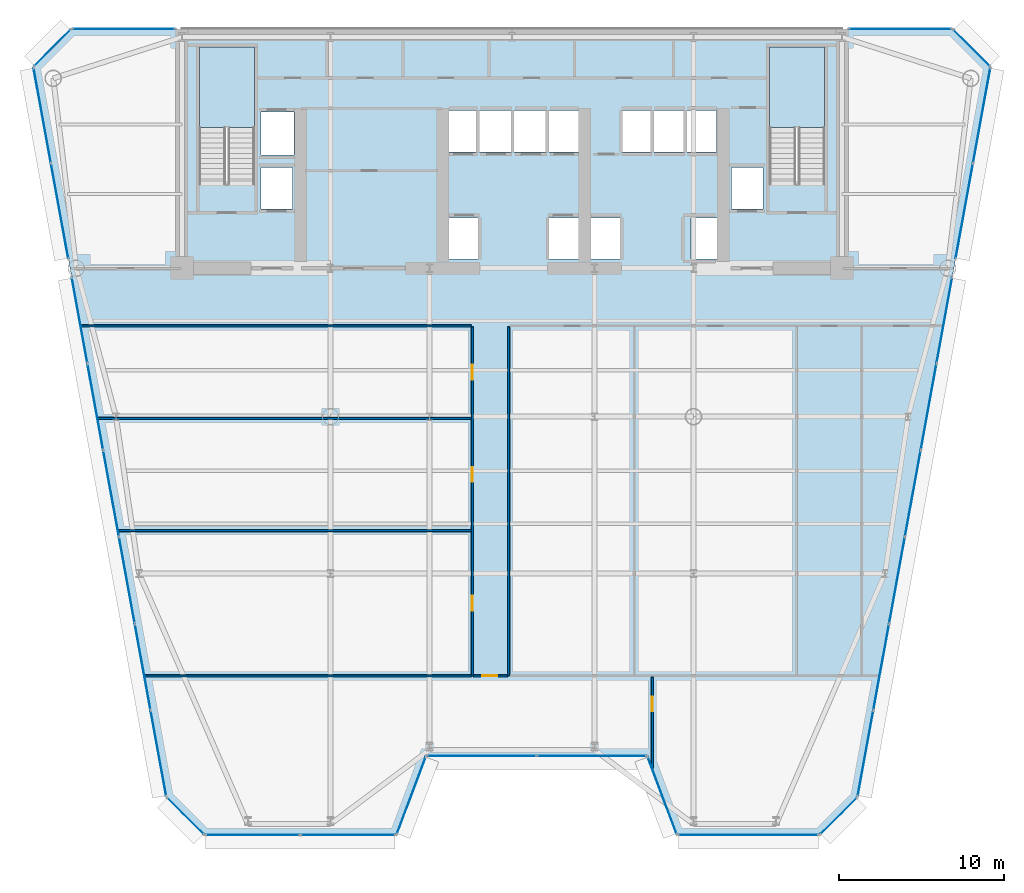
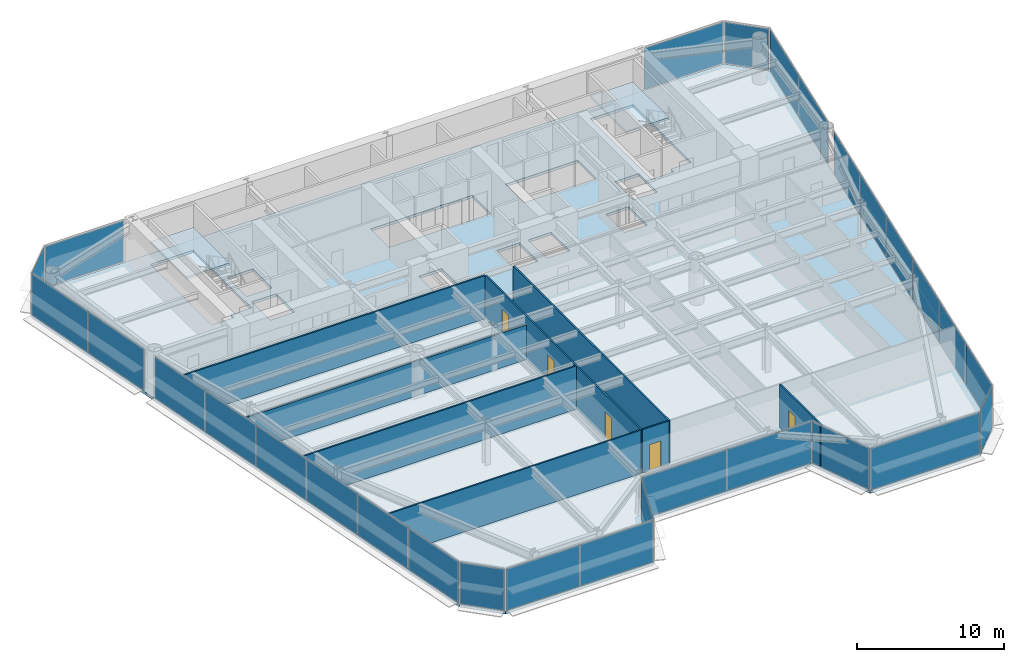
# One storey, part 7 of 14: 29 plates, 8 walls, 5 doors, 3 slabs, 5 openings, 17 elements without a shape of their own.
"""IFC4 building model written with IfcOpenShell, lengths in metres."""

from ifc_helpers import new_model, si_unit, direction, frame, frame_2d, origin, origin_2d, place, context, subcontext, project, spatial, polyline, rectangle, outline, extrude, source, transform, mapped, material, layer, layer_set, type_object, element, fill, aggregate, save


model = new_model("IFC4")

# Units and contexts
model_context = context("Model", 3, precision=1e-05, world=origin(), true_north=direction((0.0, 1.0)))
body_context = subcontext(model_context, "Body", "Model", "MODEL_VIEW")
ifc_project = project(units=[si_unit("LENGTHUNIT", "METRE"), si_unit("AREAUNIT", "SQUARE_METRE"), si_unit("VOLUMEUNIT", "CUBIC_METRE"), si_unit("PLANEANGLEUNIT", "RADIAN"), si_unit("MASSUNIT", "GRAM", prefix="KILO")], contexts=[model_context])

# Site, building, storey
site_placement = place(None, origin())
site = spatial("IfcSite", under=ifc_project, at=site_placement, CompositionType="ELEMENT")
building_placement = place(site_placement, origin())
building = spatial("IfcBuilding", under=site, at=building_placement, Name="Vaeldorn Concourse Tower", CompositionType="ELEMENT")
storey_placement = place(building_placement, frame((0.0, 0.0, 111.0)))
storey = spatial("IfcBuildingStorey", under=building, at=storey_placement, Name="L28", CompositionType="ELEMENT", Elevation=111.0)

# Stair, slab
ifc_material_1 = material(Name="Precast concrete C40/50", Category="concrete")
stair_type = type_object("IfcStairType", Name="STR-DOG-24x158", PredefinedType="HALF_TURN_STAIR", material=ifc_material_1)
stair_1_placement = place(storey_placement, origin())
stair_1 = element("IfcStair", 1, at=stair_1_placement, inside=storey, type_object=stair_type, Name="L28 West Core Exit Stair ST-1", PredefinedType="HALF_TURN_STAIR")
ifc_material_2 = material(Name="Concrete C40/50", Category="concrete")
ifc_layer_1 = layer(ifc_material_2, 0.199951171875)
ifc_layer_set_1 = layer_set([ifc_layer_1], Name="Concrete C40/50")
slab_type_1 = type_object("IfcSlabType", Name="SL-STAIR-LANDING", PredefinedType="LANDING", material=ifc_layer_set_1)
slab_1_placement = place(storey_placement, frame((0.0, 0.0, 1.699951171875)))
slab_1 = element("IfcSlab", 2, at=slab_1_placement, type_object=slab_type_1, Name="ST-1 landing 1", PredefinedType="LANDING", context=body_context, shape_type="SweptSolid", body=[
    extrude(outline(polyline([(18.39990234375, 45.010009765625), (18.39990234375, 49.89990234375), (15.050048828125, 49.89990234375), (15.050048828125, 45.010009765625), (18.39990234375, 45.010009765625)])), origin(), (0.0, 0.0, 1.0), 0.199951171875),
])
aggregate(stair_1, [slab_1])

stair_2_placement = place(storey_placement, origin())
stair_2 = element("IfcStair", 3, at=stair_2_placement, inside=storey, type_object=stair_type, Name="L28 East Core Exit Stair ST-2", PredefinedType="HALF_TURN_STAIR")
slab_2_placement = place(storey_placement, frame((0.0, 0.0, 1.699951171875)))
slab_2 = element("IfcSlab", 4, at=slab_2_placement, type_object=slab_type_1, Name="ST-2 landing 1", PredefinedType="LANDING", context=body_context, shape_type="SweptSolid", body=[
    extrude(outline(polyline([(52.949951171875, 45.010009765625), (52.949951171875, 49.89990234375), (49.60009765625, 49.89990234375), (49.60009765625, 45.010009765625), (52.949951171875, 45.010009765625)])), origin(), (0.0, 0.0, 1.0), 0.199951171875),
])
aggregate(stair_2, [slab_2])

# Slab
ifc_layer_2 = layer(ifc_material_2, 0.219970703125)
ifc_layer_set_2 = layer_set([ifc_layer_2], Name="Concrete C40/50")
slab_type_2 = type_object("IfcSlabType", Name="SL-TYP-220", PredefinedType="FLOOR", material=ifc_layer_set_2)
slab_3_placement = place(storey_placement, frame((0.0, 0.0, -0.219970703125)))
element("IfcSlab", 5, at=slab_3_placement, inside=storey, type_object=slab_type_2, Name="Structural Floor Slab L28", PredefinedType="FLOOR", context=body_context, shape_type="SweptSolid", body=[
    extrude(outline(polyline([(15.360107421875, 2.151611328125), (27.0, 2.151611328125), (28.800048828125, 6.95166015625), (42.199951171875, 6.95166015625), (44.0, 2.151611328125), (52.639892578125, 2.151611328125), (54.93994140625, 4.45166015625), (63.0, 48.699951171875), (60.699951171875, 51.0), (7.300048828125, 51.0), (5.0, 48.699951171875), (13.06005859375, 4.45166015625), (15.360107421875, 2.151611328125)]), holes=[polyline([(18.39990234375, 42.0), (18.39990234375, 49.89990234375), (15.050048828125, 49.89990234375), (15.050048828125, 41.60009765625), (16.800048828125, 41.60009765625), (16.800048828125, 42.0), (18.39990234375, 42.0)]), polyline([(52.949951171875, 42.0), (52.949951171875, 49.89990234375), (49.60009765625, 49.89990234375), (49.60009765625, 41.60009765625), (51.35009765625, 41.60009765625), (51.35009765625, 42.0), (52.949951171875, 42.0)]), polyline([(30.14990234375, 37.050048828125), (31.949951171875, 37.050048828125), (31.949951171875, 39.550048828125), (30.14990234375, 39.550048828125), (30.14990234375, 37.050048828125)]), polyline([(36.25, 37.050048828125), (38.050048828125, 37.050048828125), (38.050048828125, 39.550048828125), (36.25, 39.550048828125), (36.25, 37.050048828125)]), polyline([(30.10009765625, 43.550048828125), (38.10009765625, 43.550048828125), (38.10009765625, 46.050048828125), (30.10009765625, 46.050048828125), (30.10009765625, 43.550048828125)]), polyline([(38.75, 37.050048828125), (40.550048828125, 37.050048828125), (40.550048828125, 39.550048828125), (38.75, 39.550048828125), (38.75, 37.050048828125)]), polyline([(44.85009765625, 37.050048828125), (46.64990234375, 37.050048828125), (46.64990234375, 39.550048828125), (44.85009765625, 39.550048828125), (44.85009765625, 37.050048828125)]), polyline([(40.699951171875, 43.550048828125), (46.39990234375, 43.550048828125), (46.39990234375, 46.050048828125), (40.699951171875, 46.050048828125), (40.699951171875, 43.550048828125)]), polyline([(18.800048828125, 43.35009765625), (20.800048828125, 43.35009765625), (20.800048828125, 45.949951171875), (18.800048828125, 45.949951171875), (18.800048828125, 43.35009765625)]), polyline([(18.800048828125, 40.10009765625), (20.699951171875, 40.10009765625), (20.699951171875, 42.60009765625), (18.800048828125, 42.60009765625), (18.800048828125, 40.10009765625)]), polyline([(47.300048828125, 40.10009765625), (49.199951171875, 40.10009765625), (49.199951171875, 42.60009765625), (47.300048828125, 42.60009765625), (47.300048828125, 40.10009765625)])]), origin(), (0.0, 0.0, 1.0), 0.219970703125),
])

# Curtain wall, plate
ifc_material_3 = material(Name="Anodised Bronze Aluminium", Category="aluminium")
ifc_layer_3 = layer(ifc_material_3, 0.199951171875)
ifc_layer_set_3 = layer_set([ifc_layer_3], Name="Anodised Bronze Aluminium")
curtain_wall_type = type_object("IfcCurtainWallType", Name="CW-SYS-02", PredefinedType="NOTDEFINED", material=ifc_layer_set_3)
curtain_wall_1_placement = place(storey_placement, origin())
curtain_wall_1 = element("IfcCurtainWall", 6, at=curtain_wall_1_placement, inside=storey, type_object=curtain_wall_type, Name="Unitised Curtain Wall CW-L28-E02-1", PredefinedType="NOTDEFINED")
ifc_material_4 = material(Name="Bronze Tinted Low-E Insulated Glass", Category="glass")
ifc_layer_4 = layer(ifc_material_4, 0.031982421875)
ifc_layer_set_4 = layer_set([ifc_layer_4], Name="Bronze Tinted Low-E Insulated Glass")
plate_type = type_object("IfcPlateType", Name="CWP-VISION-32", PredefinedType="CURTAIN_PANEL", material=ifc_layer_set_4)
shared_shape_1 = source(origin(), body_context, "Body", "SweptSolid", [
    extrude(rectangle(XDim=4.976318359375, YDim=0.031982421875, at=origin_2d()), origin(), (0.0, 0.0, 1.0), 3.429931640625),
])
plate_1_placement = place(storey_placement, frame((27.89990234375, 4.5517578125, 0.0751953125), z_axis=(0.0, 0.0, 1.0), x_axis=(0.351123441595, 0.936329177566, 0.0)))
plate_1 = element("IfcPlate", 7, at=plate_1_placement, type_object=plate_type, Name="CW-02 panel 1.1", PredefinedType="CURTAIN_PANEL", context=body_context, shape_type="MappedRepresentation", body=[
    mapped(shared_shape_1, transform((0.0, 0.0, 0.0), scale=1.0)),
])
aggregate(curtain_wall_1, [plate_1])

curtain_wall_2_placement = place(storey_placement, origin())
curtain_wall_2 = element("IfcCurtainWall", 8, at=curtain_wall_2_placement, inside=storey, type_object=curtain_wall_type, Name="Unitised Curtain Wall CW-L28-E04-1", PredefinedType="NOTDEFINED")
plate_2_placement = place(storey_placement, frame((43.10009765625, 4.5517578125, 0.0751953125), z_axis=(0.0, 0.0, 1.0), x_axis=(0.351123441595, -0.936329177566, 0.0)))
plate_2 = element("IfcPlate", 9, at=plate_2_placement, type_object=plate_type, Name="CW-02 panel 1.1", PredefinedType="CURTAIN_PANEL", context=body_context, shape_type="MappedRepresentation", body=[
    mapped(shared_shape_1, transform((0.0, 0.0, 0.0), scale=1.0)),
])
aggregate(curtain_wall_2, [plate_2])

# Curtain wall, plates
curtain_wall_3_placement = place(storey_placement, origin())
curtain_wall_3 = element("IfcCurtainWall", 10, at=curtain_wall_3_placement, inside=storey, type_object=curtain_wall_type, Name="Unitised Curtain Wall CW-L28-E03-1", PredefinedType="NOTDEFINED")
shared_shape_2 = source(origin(), body_context, "Body", "SweptSolid", [
    extrude(rectangle(XDim=6.58740234375, YDim=0.031982421875, at=origin_2d()), origin(), (0.0, 0.0, 1.0), 3.429931640625),
])
plate_3_placement = place(storey_placement, frame((32.168701171875, 6.95166015625, 0.0751953125), z_axis=(0.0, 0.0, 1.0), x_axis=(1.0, 0.0, 0.0)))
plate_3 = element("IfcPlate", 11, at=plate_3_placement, type_object=plate_type, Name="CW-02 panel 1.1", PredefinedType="CURTAIN_PANEL", context=body_context, shape_type="MappedRepresentation", body=[
    mapped(shared_shape_2, transform((0.0, 0.0, 0.0), scale=1.0)),
])
plate_4_placement = place(storey_placement, frame((38.831298828125, 6.95166015625, 0.0751953125), z_axis=(0.0, 0.0, 1.0), x_axis=(1.0, 0.0, 0.0)))
plate_4 = element("IfcPlate", 12, at=plate_4_placement, type_object=plate_type, Name="CW-02 panel 2.1", PredefinedType="CURTAIN_PANEL", context=body_context, shape_type="MappedRepresentation", body=[
    mapped(shared_shape_2, transform((0.0, 0.0, 0.0), scale=1.0)),
])
aggregate(curtain_wall_3, [plate_3, plate_4])

# Curtain wall, plate
curtain_wall_4_placement = place(storey_placement, origin())
curtain_wall_4 = element("IfcCurtainWall", 13, at=curtain_wall_4_placement, inside=storey, type_object=curtain_wall_type, Name="Unitised Curtain Wall CW-L28-E06-1", PredefinedType="NOTDEFINED")
shared_shape_3 = source(origin(), body_context, "Body", "SweptSolid", [
    extrude(rectangle(XDim=3.102783203125, YDim=0.031982421875, at=origin_2d()), origin(), (0.0, 0.0, 1.0), 3.429931640625),
])
plate_5_placement = place(storey_placement, frame((53.7900390625, 3.3017578125, 0.0751953125), z_axis=(0.0, 0.0, 1.0), x_axis=(0.707106781187, 0.707106781187, 0.0)))
plate_5 = element("IfcPlate", 14, at=plate_5_placement, type_object=plate_type, Name="CW-02 panel 1.1", PredefinedType="CURTAIN_PANEL", context=body_context, shape_type="MappedRepresentation", body=[
    mapped(shared_shape_3, transform((0.0, 0.0, 0.0), scale=1.0)),
])
aggregate(curtain_wall_4, [plate_5])

curtain_wall_5_placement = place(storey_placement, origin())
curtain_wall_5 = element("IfcCurtainWall", 15, at=curtain_wall_5_placement, inside=storey, type_object=curtain_wall_type, Name="Unitised Curtain Wall CW-L28-E08-1", PredefinedType="NOTDEFINED")
plate_6_placement = place(storey_placement, frame((61.85009765625, 49.85009765625, 0.0751953125), z_axis=(0.0, 0.0, 1.0), x_axis=(-0.707106781187, 0.707106781187, 0.0)))
plate_6 = element("IfcPlate", 16, at=plate_6_placement, type_object=plate_type, Name="CW-02 panel 1.1", PredefinedType="CURTAIN_PANEL", context=body_context, shape_type="MappedRepresentation", body=[
    mapped(shared_shape_3, transform((0.0, 0.0, 0.0), scale=1.0)),
])
aggregate(curtain_wall_5, [plate_6])

curtain_wall_6_placement = place(storey_placement, origin())
curtain_wall_6 = element("IfcCurtainWall", 17, at=curtain_wall_6_placement, inside=storey, type_object=curtain_wall_type, Name="Unitised Curtain Wall CW-L28-E10-1", PredefinedType="NOTDEFINED")
plate_7_placement = place(storey_placement, frame((6.14990234375, 49.85009765625, 0.0751953125), z_axis=(0.0, 0.0, 1.0), x_axis=(-0.707106781187, -0.707106781187, 0.0)))
plate_7 = element("IfcPlate", 18, at=plate_7_placement, type_object=plate_type, Name="CW-02 panel 1.1", PredefinedType="CURTAIN_PANEL", context=body_context, shape_type="MappedRepresentation", body=[
    mapped(shared_shape_3, transform((0.0, 0.0, 0.0), scale=1.0)),
])
aggregate(curtain_wall_6, [plate_7])

curtain_wall_7_placement = place(storey_placement, origin())
curtain_wall_7 = element("IfcCurtainWall", 19, at=curtain_wall_7_placement, inside=storey, type_object=curtain_wall_type, Name="Unitised Curtain Wall CW-L28-E12-1", PredefinedType="NOTDEFINED")
plate_8_placement = place(storey_placement, frame((14.2099609375, 3.3017578125, 0.0751953125), z_axis=(0.0, 0.0, 1.0), x_axis=(0.707106781187, -0.707106781187, 0.0)))
plate_8 = element("IfcPlate", 20, at=plate_8_placement, type_object=plate_type, Name="CW-02 panel 1.1", PredefinedType="CURTAIN_PANEL", context=body_context, shape_type="MappedRepresentation", body=[
    mapped(shared_shape_3, transform((0.0, 0.0, 0.0), scale=1.0)),
])
aggregate(curtain_wall_7, [plate_8])

# Curtain wall, plates
curtain_wall_8_placement = place(storey_placement, origin())
curtain_wall_8 = element("IfcCurtainWall", 21, at=curtain_wall_8_placement, inside=storey, type_object=curtain_wall_type, Name="Unitised Curtain Wall CW-L28-E01-1", PredefinedType="NOTDEFINED")
shared_shape_4 = source(origin(), body_context, "Body", "SweptSolid", [
    extrude(rectangle(XDim=5.70751953125, YDim=0.031982421875, at=origin_2d()), origin(), (0.0, 0.0, 1.0), 3.429931640625),
])
plate_9_placement = place(storey_placement, frame((18.288818359375, 2.151611328125, 0.0751953125), z_axis=(0.0, 0.0, 1.0), x_axis=(1.0, 0.0, 0.0)))
plate_9 = element("IfcPlate", 22, at=plate_9_placement, type_object=plate_type, Name="CW-02 panel 1.1", PredefinedType="CURTAIN_PANEL", context=body_context, shape_type="MappedRepresentation", body=[
    mapped(shared_shape_4, transform((0.0, 0.0, 0.0), scale=1.0)),
])
plate_10_placement = place(storey_placement, frame((24.0712890625, 2.151611328125, 0.0751953125), z_axis=(0.0, 0.0, 1.0), x_axis=(1.0, 0.0, 0.0)))
plate_10 = element("IfcPlate", 23, at=plate_10_placement, type_object=plate_type, Name="CW-02 panel 2.1", PredefinedType="CURTAIN_PANEL", context=body_context, shape_type="MappedRepresentation", body=[
    mapped(shared_shape_4, transform((0.0, 0.0, 0.0), scale=1.0)),
])
aggregate(curtain_wall_8, [plate_9, plate_10])

# Curtain wall, plate
curtain_wall_9_placement = place(storey_placement, origin())
curtain_wall_9 = element("IfcCurtainWall", 24, at=curtain_wall_9_placement, inside=storey, type_object=curtain_wall_type, Name="Unitised Curtain Wall CW-L28-E05-1", PredefinedType="NOTDEFINED")
shared_shape_5 = source(origin(), body_context, "Body", "SweptSolid", [
    extrude(rectangle(XDim=8.489990234375, YDim=0.031982421875, at=origin_2d()), origin(), (0.0, 0.0, 1.0), 3.429931640625),
])
plate_11_placement = place(storey_placement, frame((48.320068359375, 2.151611328125, 0.0751953125), z_axis=(0.0, 0.0, 1.0), x_axis=(1.0, 0.0, 0.0)))
plate_11 = element("IfcPlate", 25, at=plate_11_placement, type_object=plate_type, Name="CW-02 panel 1.1", PredefinedType="CURTAIN_PANEL", context=body_context, shape_type="MappedRepresentation", body=[
    mapped(shared_shape_5, transform((0.0, 0.0, 0.0), scale=1.0)),
])
aggregate(curtain_wall_9, [plate_11])

curtain_wall_10_placement = place(storey_placement, origin())
curtain_wall_10 = element("IfcCurtainWall", 26, at=curtain_wall_10_placement, inside=storey, type_object=curtain_wall_type, Name="Unitised Curtain Wall CW-L28-E09-1", PredefinedType="NOTDEFINED")
shared_shape_6 = source(origin(), body_context, "Body", "SweptSolid", [
    extrude(rectangle(XDim=6.179931640625, YDim=0.031982421875, at=origin_2d()), origin(), (0.0, 0.0, 1.0), 3.429931640625),
])
plate_12_placement = place(storey_placement, frame((57.534912109375, 51.0, 0.0751953125), z_axis=(0.0, 0.0, 1.0), x_axis=(-1.0, 0.0, 0.0)))
plate_12 = element("IfcPlate", 27, at=plate_12_placement, type_object=plate_type, Name="CW-02 panel 1.1", PredefinedType="CURTAIN_PANEL", context=body_context, shape_type="MappedRepresentation", body=[
    mapped(shared_shape_6, transform((0.0, 0.0, 0.0), scale=1.0)),
])
aggregate(curtain_wall_10, [plate_12])

curtain_wall_11_placement = place(storey_placement, origin())
curtain_wall_11 = element("IfcCurtainWall", 28, at=curtain_wall_11_placement, inside=storey, type_object=curtain_wall_type, Name="Unitised Curtain Wall CW-L28-E09-2", PredefinedType="NOTDEFINED")
plate_13_placement = place(storey_placement, frame((10.465087890625, 51.0, 0.0751953125), z_axis=(0.0, 0.0, 1.0), x_axis=(-1.0, 0.0, 0.0)))
plate_13 = element("IfcPlate", 29, at=plate_13_placement, type_object=plate_type, Name="CW-02 panel 1.1", PredefinedType="CURTAIN_PANEL", context=body_context, shape_type="MappedRepresentation", body=[
    mapped(shared_shape_6, transform((0.0, 0.0, 0.0), scale=1.0)),
])
aggregate(curtain_wall_11, [plate_13])

# Curtain wall, plates
curtain_wall_12_placement = place(storey_placement, origin())
curtain_wall_12 = element("IfcCurtainWall", 30, at=curtain_wall_12_placement, inside=storey, type_object=curtain_wall_type, Name="Unitised Curtain Wall CW-L28-E07-2", PredefinedType="NOTDEFINED")
shared_shape_7 = source(origin(), body_context, "Body", "SweptSolid", [
    extrude(rectangle(XDim=5.82470703125, YDim=0.031982421875, at=origin_2d()), origin(), (0.0, 0.0, 1.0), 3.429931640625),
])
plate_14_placement = place(storey_placement, frame((61.407470703125, 39.95703125, 0.0751953125), z_axis=(0.0, 0.0, 1.0), x_axis=(0.179203361335, 0.983812052826, 0.0)))
plate_14 = element("IfcPlate", 31, at=plate_14_placement, type_object=plate_type, Name="CW-02 panel 1.1", PredefinedType="CURTAIN_PANEL", context=body_context, shape_type="MappedRepresentation", body=[
    mapped(shared_shape_7, transform((0.0, 0.0, 0.0), scale=1.0)),
])
plate_15_placement = place(storey_placement, frame((62.464599609375, 45.760986328125, 0.0751953125), z_axis=(0.0, 0.0, 1.0), x_axis=(0.179203361335, 0.983812052826, 0.0)))
plate_15 = element("IfcPlate", 32, at=plate_15_placement, type_object=plate_type, Name="CW-02 panel 2.1", PredefinedType="CURTAIN_PANEL", context=body_context, shape_type="MappedRepresentation", body=[
    mapped(shared_shape_7, transform((0.0, 0.0, 0.0), scale=1.0)),
])
aggregate(curtain_wall_12, [plate_14, plate_15])

curtain_wall_13_placement = place(storey_placement, origin())
curtain_wall_13 = element("IfcCurtainWall", 33, at=curtain_wall_13_placement, inside=storey, type_object=curtain_wall_type, Name="Unitised Curtain Wall CW-L28-E11-1", PredefinedType="NOTDEFINED")
plate_16_placement = place(storey_placement, frame((5.535400390625, 45.760986328125, 0.0751953125), z_axis=(0.0, 0.0, 1.0), x_axis=(0.179203361335, -0.983812052826, 0.0)))
plate_16 = element("IfcPlate", 34, at=plate_16_placement, type_object=plate_type, Name="CW-02 panel 1.1", PredefinedType="CURTAIN_PANEL", context=body_context, shape_type="MappedRepresentation", body=[
    mapped(shared_shape_7, transform((0.0, 0.0, 0.0), scale=1.0)),
])
plate_17_placement = place(storey_placement, frame((6.592529296875, 39.95703125, 0.0751953125), z_axis=(0.0, 0.0, 1.0), x_axis=(0.179203361335, -0.983812052826, 0.0)))
plate_17 = element("IfcPlate", 35, at=plate_17_placement, type_object=plate_type, Name="CW-02 panel 2.1", PredefinedType="CURTAIN_PANEL", context=body_context, shape_type="MappedRepresentation", body=[
    mapped(shared_shape_7, transform((0.0, 0.0, 0.0), scale=1.0)),
])
aggregate(curtain_wall_13, [plate_16, plate_17])

curtain_wall_14_placement = place(storey_placement, origin())
curtain_wall_14 = element("IfcCurtainWall", 36, at=curtain_wall_14_placement, inside=storey, type_object=curtain_wall_type, Name="Unitised Curtain Wall CW-L28-E07-1", PredefinedType="NOTDEFINED")
shared_shape_8 = source(origin(), body_context, "Body", "SweptSolid", [
    extrude(rectangle(XDim=5.22900390625, YDim=0.031982421875, at=origin_2d()), origin(), (0.0, 0.0, 1.0), 3.429931640625),
])
plate_18_placement = place(storey_placement, frame((55.421875, 7.09765625, 0.0751953125), z_axis=(0.0, 0.0, 1.0), x_axis=(0.179206136352, 0.983811547347, 0.0)))
plate_18 = element("IfcPlate", 37, at=plate_18_placement, type_object=plate_type, Name="CW-02 panel 1.1", PredefinedType="CURTAIN_PANEL", context=body_context, shape_type="MappedRepresentation", body=[
    mapped(shared_shape_8, transform((0.0, 0.0, 0.0), scale=1.0)),
])
plate_19_placement = place(storey_placement, frame((60.201416015625, 33.3359375, 0.0751953125), z_axis=(0.0, 0.0, 1.0), x_axis=(0.179206136352, 0.983811547347, 0.0)))
plate_19 = element("IfcPlate", 38, at=plate_19_placement, type_object=plate_type, Name="CW-02 panel 6.1", PredefinedType="CURTAIN_PANEL", context=body_context, shape_type="MappedRepresentation", body=[
    mapped(shared_shape_8, transform((0.0, 0.0, 0.0), scale=1.0)),
])

curtain_wall_15_placement = place(storey_placement, origin())
curtain_wall_15 = element("IfcCurtainWall", 39, at=curtain_wall_15_placement, inside=storey, type_object=curtain_wall_type, Name="Unitised Curtain Wall CW-L28-E11-2", PredefinedType="NOTDEFINED")
plate_20_placement = place(storey_placement, frame((7.798583984375, 33.3359375, 0.0751953125), z_axis=(0.0, 0.0, 1.0), x_axis=(0.179206136352, -0.983811547347, 0.0)))
plate_20 = element("IfcPlate", 40, at=plate_20_placement, type_object=plate_type, Name="CW-02 panel 1.1", PredefinedType="CURTAIN_PANEL", context=body_context, shape_type="MappedRepresentation", body=[
    mapped(shared_shape_8, transform((0.0, 0.0, 0.0), scale=1.0)),
])
plate_21_placement = place(storey_placement, frame((12.578125, 7.09765625, 0.0751953125), z_axis=(0.0, 0.0, 1.0), x_axis=(0.179206136352, -0.983811547347, 0.0)))
plate_21 = element("IfcPlate", 41, at=plate_21_placement, type_object=plate_type, Name="CW-02 panel 6.1", PredefinedType="CURTAIN_PANEL", context=body_context, shape_type="MappedRepresentation", body=[
    mapped(shared_shape_8, transform((0.0, 0.0, 0.0), scale=1.0)),
])

# Plate
shared_shape_9 = source(origin(), body_context, "Body", "SweptSolid", [
    extrude(rectangle(XDim=5.2666015625, YDim=0.031982421875, at=origin_2d()), origin(), (0.0, 0.0, 1.0), 3.429931640625),
])
plate_22_placement = place(storey_placement, frame((56.375732421875, 12.334228515625, 0.0751953125), z_axis=(0.0, 0.0, 1.0), x_axis=(0.179206136352, 0.983811547347, 0.0)))
plate_22 = element("IfcPlate", 42, at=plate_22_placement, type_object=plate_type, Name="CW-02 panel 2.1", PredefinedType="CURTAIN_PANEL", context=body_context, shape_type="MappedRepresentation", body=[
    mapped(shared_shape_9, transform((0.0, 0.0, 0.0), scale=1.0)),
])

plate_23_placement = place(storey_placement, frame((57.3330078125, 17.58935546875, 0.0751953125), z_axis=(0.0, 0.0, 1.0), x_axis=(0.179206136352, 0.983811547347, 0.0)))
plate_23 = element("IfcPlate", 43, at=plate_23_placement, type_object=plate_type, Name="CW-02 panel 3.1", PredefinedType="CURTAIN_PANEL", context=body_context, shape_type="MappedRepresentation", body=[
    mapped(shared_shape_9, transform((0.0, 0.0, 0.0), scale=1.0)),
])

plate_24_placement = place(storey_placement, frame((58.290283203125, 22.844482421875, 0.0751953125), z_axis=(0.0, 0.0, 1.0), x_axis=(0.179206136352, 0.983811547347, 0.0)))
plate_24 = element("IfcPlate", 44, at=plate_24_placement, type_object=plate_type, Name="CW-02 panel 4.1", PredefinedType="CURTAIN_PANEL", context=body_context, shape_type="MappedRepresentation", body=[
    mapped(shared_shape_9, transform((0.0, 0.0, 0.0), scale=1.0)),
])

plate_25_placement = place(storey_placement, frame((59.24755859375, 28.099365234375, 0.0751953125), z_axis=(0.0, 0.0, 1.0), x_axis=(0.179206136352, 0.983811547347, 0.0)))
plate_25 = element("IfcPlate", 45, at=plate_25_placement, type_object=plate_type, Name="CW-02 panel 5.1", PredefinedType="CURTAIN_PANEL", context=body_context, shape_type="MappedRepresentation", body=[
    mapped(shared_shape_9, transform((0.0, 0.0, 0.0), scale=1.0)),
])

aggregate(curtain_wall_14, [plate_18, plate_22, plate_23, plate_24, plate_25, plate_19])

plate_26_placement = place(storey_placement, frame((8.75244140625, 28.099365234375, 0.0751953125), z_axis=(0.0, 0.0, 1.0), x_axis=(0.179206136352, -0.983811547347, 0.0)))
plate_26 = element("IfcPlate", 46, at=plate_26_placement, type_object=plate_type, Name="CW-02 panel 2.1", PredefinedType="CURTAIN_PANEL", context=body_context, shape_type="MappedRepresentation", body=[
    mapped(shared_shape_9, transform((0.0, 0.0, 0.0), scale=1.0)),
])

plate_27_placement = place(storey_placement, frame((9.709716796875, 22.844482421875, 0.0751953125), z_axis=(0.0, 0.0, 1.0), x_axis=(0.179206136352, -0.983811547347, 0.0)))
plate_27 = element("IfcPlate", 47, at=plate_27_placement, type_object=plate_type, Name="CW-02 panel 3.1", PredefinedType="CURTAIN_PANEL", context=body_context, shape_type="MappedRepresentation", body=[
    mapped(shared_shape_9, transform((0.0, 0.0, 0.0), scale=1.0)),
])

plate_28_placement = place(storey_placement, frame((10.6669921875, 17.58935546875, 0.0751953125), z_axis=(0.0, 0.0, 1.0), x_axis=(0.179206136352, -0.983811547347, 0.0)))
plate_28 = element("IfcPlate", 48, at=plate_28_placement, type_object=plate_type, Name="CW-02 panel 4.1", PredefinedType="CURTAIN_PANEL", context=body_context, shape_type="MappedRepresentation", body=[
    mapped(shared_shape_9, transform((0.0, 0.0, 0.0), scale=1.0)),
])

plate_29_placement = place(storey_placement, frame((11.624267578125, 12.334228515625, 0.0751953125), z_axis=(0.0, 0.0, 1.0), x_axis=(0.179206136352, -0.983811547347, 0.0)))
plate_29 = element("IfcPlate", 49, at=plate_29_placement, type_object=plate_type, Name="CW-02 panel 5.1", PredefinedType="CURTAIN_PANEL", context=body_context, shape_type="MappedRepresentation", body=[
    mapped(shared_shape_9, transform((0.0, 0.0, 0.0), scale=1.0)),
])

aggregate(curtain_wall_15, [plate_20, plate_26, plate_27, plate_28, plate_29, plate_21])

# Wall
ifc_material_5 = material(Name="Gypsum Board Partition", Category="gypsum")
ifc_layer_5 = layer(ifc_material_5, 0.1201171875)
ifc_layer_set_5 = layer_set([ifc_layer_5], Name="Gypsum Board Partition")
wall_type = type_object("IfcWallType", Name="WL-PART-120", PredefinedType="PARTITIONING", material=ifc_layer_set_5)
wall_1_placement = place(storey_placement, frame((7.89990234375, 33.0, 0.0), z_axis=(0.0, 0.0, 1.0), x_axis=(1.0, 0.0, 0.0)))
element("IfcWall", 50, at=wall_1_placement, inside=storey, type_object=wall_type, Name="Interior Wall PW-L28-C2SW", PredefinedType="PARTITIONING", context=body_context, shape_type="SweptSolid", body=[
    extrude(rectangle(XDim=23.64013671875, YDim=0.1201171875, at=frame_2d((11.820068359375, 0.0))), origin(), (0.0, 0.0, 1.0), 3.580078125),
])

# Wall, openings, doors
wall_2_placement = place(storey_placement, frame((31.60009765625, 11.800048828125, 0.0), z_axis=(0.0, 0.0, 1.0), x_axis=(0.0, 1.0, 0.0)))
wall_2 = element("IfcWall", 51, at=wall_2_placement, inside=storey, type_object=wall_type, Name="Interior Wall PW-L28-SP2W", PredefinedType="PARTITIONING", context=body_context, shape_type="SweptSolid", body=[
    extrude(rectangle(XDim=21.139892578125, YDim=0.1201171875, at=frame_2d((10.56982421875, 0.0))), origin(), (0.0, 0.0, 1.0), 3.580078125),
])
opening_1_placement = place(wall_2_placement, frame((3.949951171875, 0.0, 0.0)))
opening_1 = element("IfcOpeningElement", 52, at=opening_1_placement, cuts=wall_2, Name="Opening D-03", PredefinedType="OPENING", context=body_context, shape_type="SweptSolid", body=[
    extrude(rectangle(XDim=0.89990234375, YDim=2.14990234375, at=frame_2d((0.449951171875, 1.074951171875))), frame((0.0, 0.070068359375, 0.0), z_axis=(0.0, -1.0, 0.0), x_axis=(1.0, 0.0, 0.0)), (0.0, 0.0, 1.0), 0.14013671875),
])
opening_2_placement = place(wall_2_placement, frame((11.75, 0.0, 0.0)))
opening_2 = element("IfcOpeningElement", 53, at=opening_2_placement, cuts=wall_2, Name="Opening D-03", PredefinedType="OPENING", context=body_context, shape_type="SweptSolid", body=[
    extrude(rectangle(XDim=0.89990234375, YDim=2.14990234375, at=frame_2d((0.449951171875, 1.074951171875))), frame((0.0, 0.070068359375, 0.0), z_axis=(0.0, -1.0, 0.0), x_axis=(1.0, 0.0, 0.0)), (0.0, 0.0, 1.0), 0.14013671875),
])
opening_3_placement = place(wall_2_placement, frame((17.949951171875, 0.0, 0.0)))
opening_3 = element("IfcOpeningElement", 54, at=opening_3_placement, cuts=wall_2, Name="Opening D-03", PredefinedType="OPENING", context=body_context, shape_type="SweptSolid", body=[
    extrude(rectangle(XDim=0.89990234375, YDim=2.14990234375, at=frame_2d((0.449951171875, 1.074951171875))), frame((0.0, 0.070068359375, 0.0), z_axis=(0.0, -1.0, 0.0), x_axis=(1.0, 0.0, 0.0)), (0.0, 0.0, 1.0), 0.14013671875),
])
ifc_material_6 = material(Name="Acoustic Bronze-Framed Glass Door", Category="glass")
door_type = type_object("IfcDoorType", Name="DR-INT-900", OperationType="NOTDEFINED", PredefinedType="DOOR", material=ifc_material_6)
shared_shape_10 = source(origin(), body_context, "Body", "SweptSolid", [
    extrude(rectangle(XDim=0.89990234375, YDim=2.14990234375, at=frame_2d((0.449951171875, 1.074951171875))), frame((0.0, 0.02490234375, 0.0), z_axis=(0.0, -1.0, 0.0), x_axis=(1.0, 0.0, 0.0)), (0.0, 0.0, 1.0), 0.050048828125),
])
door_1_placement = place(opening_1_placement, origin())
door_1 = element("IfcDoor", 55, at=door_1_placement, inside=storey, type_object=door_type, Name="Interior Door DR-L28-Z2W1", OperationType="SINGLE_SWING_LEFT", OverallHeight=2.14990234375, OverallWidth=0.89990234375, PredefinedType="DOOR", context=body_context, shape_type="MappedRepresentation", body=[
    mapped(shared_shape_10, transform((0.0, 0.0, 0.0), scale=1.0)),
])
fill(opening_1, door_1)
door_2_placement = place(opening_2_placement, origin())
door_2 = element("IfcDoor", 56, at=door_2_placement, inside=storey, type_object=door_type, Name="Interior Door DR-L28-Z2W2", OperationType="SINGLE_SWING_RIGHT", OverallHeight=2.14990234375, OverallWidth=0.89990234375, PredefinedType="DOOR", context=body_context, shape_type="MappedRepresentation", body=[
    mapped(shared_shape_10, transform((0.0, 0.0, 0.0), scale=1.0)),
])
fill(opening_2, door_2)
door_3_placement = place(opening_3_placement, origin())
door_3 = element("IfcDoor", 57, at=door_3_placement, inside=storey, type_object=door_type, Name="Interior Door DR-L28-Z2W3", OperationType="SINGLE_SWING_LEFT", OverallHeight=2.14990234375, OverallWidth=0.89990234375, PredefinedType="DOOR", context=body_context, shape_type="MappedRepresentation", body=[
    mapped(shared_shape_10, transform((0.0, 0.0, 0.0), scale=1.0)),
])
fill(opening_3, door_3)

# Wall
wall_3_placement = place(storey_placement, frame((33.800048828125, 11.800048828125, 0.0), z_axis=(0.0, 0.0, 1.0), x_axis=(0.0, 1.0, 0.0)))
element("IfcWall", 58, at=wall_3_placement, inside=storey, type_object=wall_type, Name="Interior Wall PW-L28-SP2E", PredefinedType="PARTITIONING", context=body_context, shape_type="SweptSolid", body=[
    extrude(rectangle(XDim=21.139892578125, YDim=0.1201171875, at=frame_2d((10.56982421875, 0.0))), origin(), (0.0, 0.0, 1.0), 3.580078125),
])

# Wall, opening, door
wall_4_placement = place(storey_placement, frame((31.659912109375, 11.800048828125, 0.0), z_axis=(0.0, 0.0, 1.0), x_axis=(1.0, 0.0, 0.0)))
wall_4 = element("IfcWall", 59, at=wall_4_placement, inside=storey, type_object=wall_type, Name="Interior Wall PW-L28-SP2S", PredefinedType="PARTITIONING", context=body_context, shape_type="SweptSolid", body=[
    extrude(rectangle(XDim=2.080078125, YDim=0.1201171875, at=frame_2d((1.0400390625, 0.0))), origin(), (0.0, 0.0, 1.0), 3.580078125),
])
opening_4_placement = place(wall_4_placement, frame((0.550048828125, 0.0, 0.0)))
opening_4 = element("IfcOpeningElement", 60, at=opening_4_placement, cuts=wall_4, Name="Opening D-03", PredefinedType="OPENING", context=body_context, shape_type="SweptSolid", body=[
    extrude(rectangle(XDim=0.89990234375, YDim=2.14990234375, at=frame_2d((0.449951171875, 1.074951171875))), frame((0.0, 0.070068359375, 0.0), z_axis=(0.0, -1.0, 0.0), x_axis=(1.0, 0.0, 0.0)), (0.0, 0.0, 1.0), 0.14013671875),
])
door_4_placement = place(opening_4_placement, origin())
door_4 = element("IfcDoor", 61, at=door_4_placement, inside=storey, type_object=door_type, Name="Interior Door DR-L28-Z2SFM", OperationType="SINGLE_SWING_LEFT", OverallHeight=2.14990234375, OverallWidth=0.89990234375, PredefinedType="DOOR", context=body_context, shape_type="MappedRepresentation", body=[
    mapped(shared_shape_10, transform((0.0, 0.0, 0.0), scale=1.0)),
])
fill(opening_4, door_4)

# Wall
wall_5_placement = place(storey_placement, frame((11.761474609375, 11.800048828125, 0.0), z_axis=(0.0, 0.0, 1.0), x_axis=(1.0, 0.0, 0.0)))
element("IfcWall", 62, at=wall_5_placement, inside=storey, type_object=wall_type, Name="Interior Wall PW-L28-S2WL", PredefinedType="PARTITIONING", context=body_context, shape_type="SweptSolid", body=[
    extrude(rectangle(XDim=19.778564453125, YDim=0.1201171875, at=frame_2d((9.88916015625, 0.0))), origin(), (0.0, 0.0, 1.0), 3.580078125),
])

# Wall, opening, door
wall_6_placement = place(storey_placement, frame((42.5, 6.191650390625, 0.0), z_axis=(0.0, 0.0, 1.0), x_axis=(0.0, 1.0, 0.0)))
wall_6 = element("IfcWall", 63, at=wall_6_placement, inside=storey, type_object=wall_type, Name="Interior Wall PW-L28-Z2SFX1", PredefinedType="PARTITIONING", context=body_context, shape_type="SweptSolid", body=[
    extrude(rectangle(XDim=5.54833984375, YDim=0.1201171875, at=frame_2d((2.774169921875, 0.0))), origin(), (0.0, 0.0, 1.0), 3.580078125),
])
opening_5_placement = place(wall_6_placement, frame((3.447998046875, 0.0, 0.0)))
opening_5 = element("IfcOpeningElement", 64, at=opening_5_placement, cuts=wall_6, Name="Opening D-03", PredefinedType="OPENING", context=body_context, shape_type="SweptSolid", body=[
    extrude(rectangle(XDim=0.89990234375, YDim=2.14990234375, at=frame_2d((0.449951171875, 1.074951171875))), frame((0.0, 0.070068359375, 0.0), z_axis=(0.0, -1.0, 0.0), x_axis=(1.0, 0.0, 0.0)), (0.0, 0.0, 1.0), 0.14013671875),
])
door_5_placement = place(opening_5_placement, origin())
door_5 = element("IfcDoor", 65, at=door_5_placement, inside=storey, type_object=door_type, Name="Interior Door DR-L28-Z2SFX1", OperationType="SINGLE_SWING_RIGHT", OverallHeight=2.14990234375, OverallWidth=0.89990234375, PredefinedType="DOOR", context=body_context, shape_type="MappedRepresentation", body=[
    mapped(shared_shape_10, transform((0.0, 0.0, 0.0), scale=1.0)),
])
fill(opening_5, door_5)

# Walls
wall_7_placement = place(storey_placement, frame((10.158447265625, 20.60009765625, 0.0), z_axis=(0.0, 0.0, 1.0), x_axis=(1.0, 0.0, 0.0)))
element("IfcWall", 66, at=wall_7_placement, inside=storey, type_object=wall_type, Name="Interior Wall PW-L28-Z2WY1", PredefinedType="PARTITIONING", context=body_context, shape_type="SweptSolid", body=[
    extrude(rectangle(XDim=21.381591796875, YDim=0.1201171875, at=frame_2d((10.69091796875, 0.0))), origin(), (0.0, 0.0, 1.0), 3.580078125),
])
wall_8_placement = place(storey_placement, frame((8.919921875, 27.39990234375, 0.0), z_axis=(0.0, 0.0, 1.0), x_axis=(1.0, 0.0, 0.0)))
element("IfcWall", 67, at=wall_8_placement, inside=storey, type_object=wall_type, Name="Interior Wall PW-L28-Z2WY2", PredefinedType="PARTITIONING", context=body_context, shape_type="SweptSolid", body=[
    extrude(rectangle(XDim=22.6201171875, YDim=0.1201171875, at=frame_2d((11.31005859375, 0.0))), origin(), (0.0, 0.0, 1.0), 2.8701171875),
])

save(model, "model.ifc")
